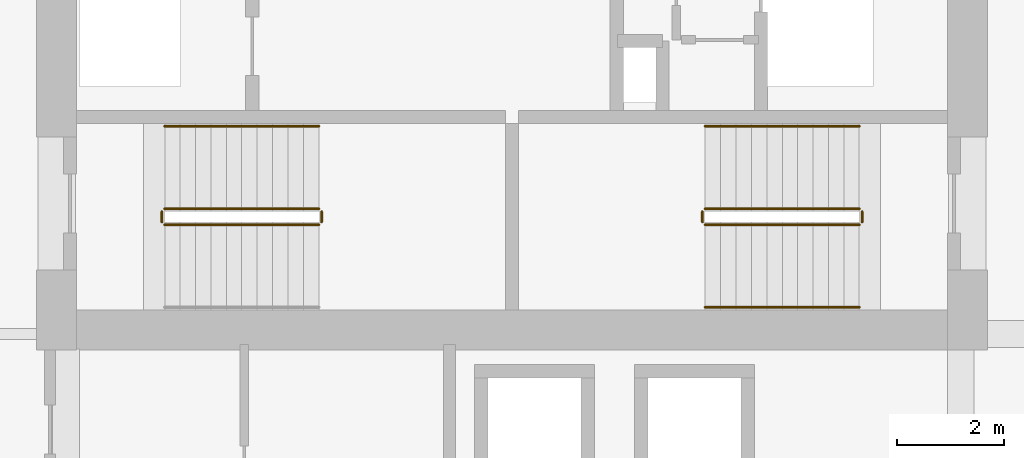
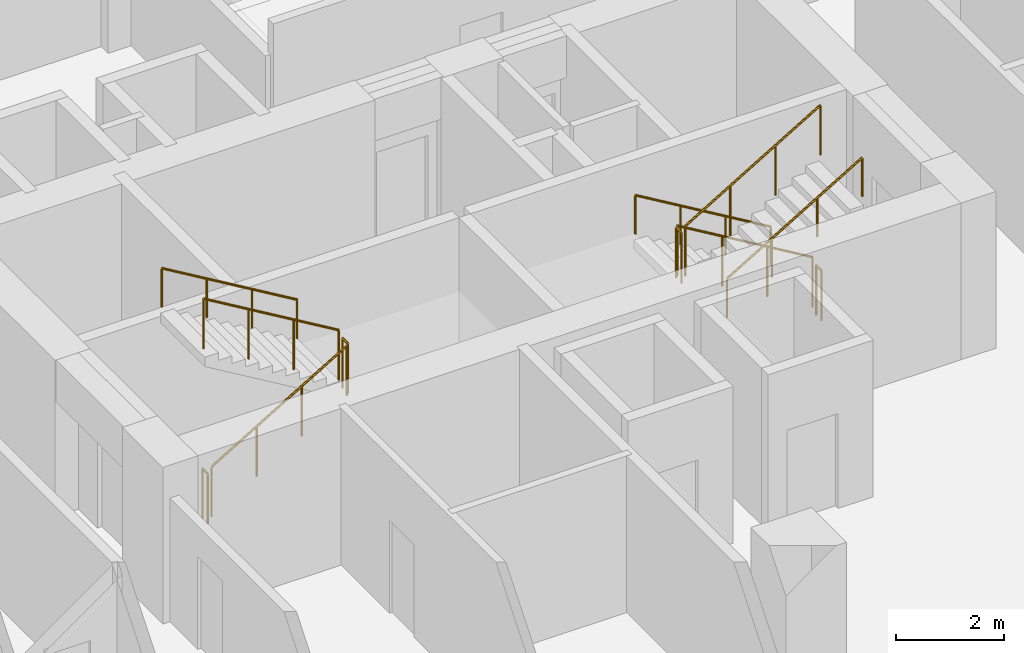
# One storey, part 21 of 23: 11 railings.
"""IFC4 building model written with IfcOpenShell, lengths in metres."""

from ifc_helpers import new_model, si_unit, direction, frame, origin, origin_2d, place, context, subcontext, project, spatial, circle, extrude, material, type_object, element, save


model = new_model("IFC4")

# Units and contexts
model_context = context("Model", 3, precision=1e-05, world=origin(), true_north=direction((0.0, 1.0)))
body_context = subcontext(model_context, "Body", "Model", "MODEL_VIEW")
ifc_project = project(units=[si_unit("LENGTHUNIT", "METRE"), si_unit("AREAUNIT", "SQUARE_METRE"), si_unit("VOLUMEUNIT", "CUBIC_METRE"), si_unit("PLANEANGLEUNIT", "RADIAN"), si_unit("MASSUNIT", "GRAM", prefix="KILO")], contexts=[model_context])

# Site, building, storey
site_placement = place(None, origin())
site = spatial("IfcSite", under=ifc_project, at=site_placement, CompositionType="ELEMENT")
building_placement = place(site_placement, origin())
building = spatial("IfcBuilding", under=site, at=building_placement, Name="Koriwani Terraces Tower", CompositionType="ELEMENT")
storey_placement = place(building_placement, frame((0.0, 0.0, 119.0)))
storey = spatial("IfcBuildingStorey", under=building, at=storey_placement, Name="L28", CompositionType="ELEMENT", Elevation=119.0)

# Railings
ifc_material = material(Name="Steel ASTM A572 Grade 50", Category="steel")
railing_type_1 = type_object("IfcRailingType", Name="GUARD_STAIR_WELL_1120", PredefinedType="GUARDRAIL", material=ifc_material)
railing_1_placement = place(storey_placement, frame((43.85009765625, 18.85009765625, 0.172607421875)))
element("IfcRailing", 1, at=railing_1_placement, inside=storey, type_object=railing_type_1, Name="L28 ST-E1 stair guard 1", PredefinedType="GUARDRAIL", context=body_context, shape_type="SweptSolid", body=[
    extrude(circle(Radius=0.02392578125, at=origin_2d()), frame((0.0, 0.0, 1.1259765625), z_axis=(0.859141464434, 0.0, 0.511738159696), x_axis=(0.0, 1.0, 0.0)), (0.0, 0.0, 1.0), 3.375244140625),
    extrude(circle(Radius=0.02099609375, at=origin_2d()), origin(), (0.0, 0.0, 1.0), 1.101806640625),
    extrude(circle(Radius=0.02099609375, at=origin_2d()), frame((0.966552734375, 0.0, 0.57568359375)), (0.0, 0.0, 1.0), 1.101806640625),
    extrude(circle(Radius=0.02099609375, at=origin_2d()), frame((1.933349609375, 0.0, 1.151611328125)), (0.0, 0.0, 1.0), 1.101806640625),
    extrude(circle(Radius=0.02099609375, at=origin_2d()), frame((2.89990234375, 0.0, 1.727294921875)), (0.0, 0.0, 1.0), 1.101806640625),
])
railing_2_placement = place(storey_placement, frame((46.800048828125, 18.89990234375, 1.89990234375)))
element("IfcRailing", 2, at=railing_2_placement, inside=storey, type_object=railing_type_1, Name="L28 ST-E1 stair guard 2", PredefinedType="GUARDRAIL", context=body_context, shape_type="SweptSolid", body=[
    extrude(circle(Radius=0.02392578125, at=origin_2d()), frame((0.0, 0.0, 1.1259765625), z_axis=(0.0, 1.0, 0.0), x_axis=(-1.0, 0.0, 0.0)), (0.0, 0.0, 1.0), 0.2001953125),
    extrude(circle(Radius=0.02099609375, at=origin_2d()), origin(), (0.0, 0.0, 1.0), 1.101806640625),
    extrude(circle(Radius=0.02099609375, at=origin_2d()), frame((0.0, 0.2001953125, 0.0)), (0.0, 0.0, 1.0), 1.101806640625),
])
railing_3_placement = place(storey_placement, frame((46.75, 19.14990234375, 2.07275390625)))
element("IfcRailing", 3, at=railing_3_placement, inside=storey, type_object=railing_type_1, Name="L28 ST-E1 stair guard 3", PredefinedType="GUARDRAIL", context=body_context, shape_type="SweptSolid", body=[
    extrude(circle(Radius=0.02392578125, at=origin_2d()), frame((0.0, 0.0, 1.1259765625), z_axis=(-0.859141464434, 0.0, 0.511738159696), x_axis=(0.0, -1.0, 0.0)), (0.0, 0.0, 1.0), 3.375244140625),
    extrude(circle(Radius=0.02099609375, at=origin_2d()), origin(), (0.0, 0.0, 1.0), 1.101806640625),
    extrude(circle(Radius=0.02099609375, at=origin_2d()), frame((-0.966552734375, 0.0, 0.57568359375)), (0.0, 0.0, 1.0), 1.101806640625),
    extrude(circle(Radius=0.02099609375, at=origin_2d()), frame((-1.933349609375, 0.0, 1.151611328125)), (0.0, 0.0, 1.0), 1.101806640625),
    extrude(circle(Radius=0.02099609375, at=origin_2d()), frame((-2.89990234375, 0.0, 1.727294921875)), (0.0, 0.0, 1.0), 1.101806640625),
])
railing_4_placement = place(storey_placement, frame((43.800048828125, 18.89990234375, 0.0)))
element("IfcRailing", 4, at=railing_4_placement, inside=storey, type_object=railing_type_1, Name="L28 ST-E1 stair guard 4", PredefinedType="GUARDRAIL", context=body_context, shape_type="SweptSolid", body=[
    extrude(circle(Radius=0.02392578125, at=origin_2d()), frame((0.0, 0.0, 1.1259765625), z_axis=(0.0, 1.0, 0.0), x_axis=(-1.0, 0.0, 0.0)), (0.0, 0.0, 1.0), 0.2001953125),
    extrude(circle(Radius=0.02099609375, at=origin_2d()), origin(), (0.0, 0.0, 1.0), 1.101806640625),
    extrude(circle(Radius=0.02099609375, at=origin_2d()), frame((0.0, 0.2001953125, 0.0)), (0.0, 0.0, 1.0), 1.101806640625),
])
railing_5_placement = place(storey_placement, frame((56.89990234375, 19.14990234375, 0.172607421875)))
element("IfcRailing", 5, at=railing_5_placement, inside=storey, type_object=railing_type_1, Name="L28 ST-E2 stair guard 1", PredefinedType="GUARDRAIL", context=body_context, shape_type="SweptSolid", body=[
    extrude(circle(Radius=0.02392578125, at=origin_2d()), frame((0.0, 0.0, 1.1259765625), z_axis=(-0.859141464434, 0.0, 0.511738159696), x_axis=(0.0, -1.0, 0.0)), (0.0, 0.0, 1.0), 3.375244140625),
    extrude(circle(Radius=0.02099609375, at=origin_2d()), origin(), (0.0, 0.0, 1.0), 1.101806640625),
    extrude(circle(Radius=0.02099609375, at=origin_2d()), frame((-0.966552734375, 0.0, 0.57568359375)), (0.0, 0.0, 1.0), 1.101806640625),
    extrude(circle(Radius=0.02099609375, at=origin_2d()), frame((-1.933349609375, 0.0, 1.151611328125)), (0.0, 0.0, 1.0), 1.101806640625),
    extrude(circle(Radius=0.02099609375, at=origin_2d()), frame((-2.89990234375, 0.0, 1.727294921875)), (0.0, 0.0, 1.0), 1.101806640625),
])
railing_6_placement = place(storey_placement, frame((53.949951171875, 19.10009765625, 1.89990234375)))
element("IfcRailing", 6, at=railing_6_placement, inside=storey, type_object=railing_type_1, Name="L28 ST-E2 stair guard 2", PredefinedType="GUARDRAIL", context=body_context, shape_type="SweptSolid", body=[
    extrude(circle(Radius=0.02392578125, at=origin_2d()), frame((0.0, 0.0, 1.1259765625), z_axis=(0.0, -1.0, 0.0), x_axis=(1.0, 0.0, 0.0)), (0.0, 0.0, 1.0), 0.2001953125),
    extrude(circle(Radius=0.02099609375, at=origin_2d()), origin(), (0.0, 0.0, 1.0), 1.101806640625),
    extrude(circle(Radius=0.02099609375, at=origin_2d()), frame((0.0, -0.2001953125, 0.0)), (0.0, 0.0, 1.0), 1.101806640625),
])
railing_7_placement = place(storey_placement, frame((54.0, 18.85009765625, 2.07275390625)))
element("IfcRailing", 7, at=railing_7_placement, inside=storey, type_object=railing_type_1, Name="L28 ST-E2 stair guard 3", PredefinedType="GUARDRAIL", context=body_context, shape_type="SweptSolid", body=[
    extrude(circle(Radius=0.02392578125, at=origin_2d()), frame((0.0, 0.0, 1.1259765625), z_axis=(0.859141464434, 0.0, 0.511738159696), x_axis=(0.0, 1.0, 0.0)), (0.0, 0.0, 1.0), 3.375244140625),
    extrude(circle(Radius=0.02099609375, at=origin_2d()), origin(), (0.0, 0.0, 1.0), 1.101806640625),
    extrude(circle(Radius=0.02099609375, at=origin_2d()), frame((0.966552734375, 0.0, 0.57568359375)), (0.0, 0.0, 1.0), 1.101806640625),
    extrude(circle(Radius=0.02099609375, at=origin_2d()), frame((1.933349609375, 0.0, 1.151611328125)), (0.0, 0.0, 1.0), 1.101806640625),
    extrude(circle(Radius=0.02099609375, at=origin_2d()), frame((2.89990234375, 0.0, 1.727294921875)), (0.0, 0.0, 1.0), 1.101806640625),
])
railing_8_placement = place(storey_placement, frame((56.949951171875, 19.10009765625, 0.0)))
element("IfcRailing", 8, at=railing_8_placement, inside=storey, type_object=railing_type_1, Name="L28 ST-E2 stair guard 4", PredefinedType="GUARDRAIL", context=body_context, shape_type="SweptSolid", body=[
    extrude(circle(Radius=0.02392578125, at=origin_2d()), frame((0.0, 0.0, 1.1259765625), z_axis=(0.0, -1.0, 0.0), x_axis=(1.0, 0.0, 0.0)), (0.0, 0.0, 1.0), 0.2001953125),
    extrude(circle(Radius=0.02099609375, at=origin_2d()), origin(), (0.0, 0.0, 1.0), 1.101806640625),
    extrude(circle(Radius=0.02099609375, at=origin_2d()), frame((0.0, -0.2001953125, 0.0)), (0.0, 0.0, 1.0), 1.101806640625),
])
railing_type_2 = type_object("IfcRailingType", Name="HANDRAIL_STAIR_920", PredefinedType="HANDRAIL", material=ifc_material)
for number, where, name in (
    (9, (46.75, 20.699951171875, 2.07275390625), "L28 ST-E1 stair handrail 2"),
    (10, (56.89990234375, 20.699951171875, 0.172607421875), "L28 ST-E2 stair handrail 1"),
):
    element("IfcRailing", number, at=place(storey_placement, frame(where)), inside=storey, type_object=railing_type_2, Name=name, PredefinedType="HANDRAIL", context=body_context, shape_type="SweptSolid", body=[
        extrude(circle(Radius=0.02392578125, at=origin_2d()), frame((0.0, 0.0, 0.8759765625), z_axis=(-0.859141464434, 0.0, 0.511738159696), x_axis=(0.0, -1.0, 0.0)), (0.0, 0.0, 1.0), 3.375244140625),
        extrude(circle(Radius=0.02099609375, at=origin_2d()), origin(), (0.0, 0.0, 1.0), 0.851806640625),
        extrude(circle(Radius=0.02099609375, at=origin_2d()), frame((-0.966552734375, 0.0, 0.57568359375)), (0.0, 0.0, 1.0), 0.851806640625),
        extrude(circle(Radius=0.02099609375, at=origin_2d()), frame((-1.933349609375, 0.0, 1.151611328125)), (0.0, 0.0, 1.0), 0.851806640625),
        extrude(circle(Radius=0.02099609375, at=origin_2d()), frame((-2.89990234375, 0.0, 1.727294921875)), (0.0, 0.0, 1.0), 0.851806640625),
    ])
railing_9_placement = place(storey_placement, frame((54.0, 17.300048828125, 2.07275390625)))
element("IfcRailing", 11, at=railing_9_placement, inside=storey, type_object=railing_type_2, Name="L28 ST-E2 stair handrail 2", PredefinedType="HANDRAIL", context=body_context, shape_type="SweptSolid", body=[
    extrude(circle(Radius=0.02392578125, at=origin_2d()), frame((0.0, 0.0, 0.8759765625), z_axis=(0.859141464434, 0.0, 0.511738159696), x_axis=(0.0, 1.0, 0.0)), (0.0, 0.0, 1.0), 3.375244140625),
    extrude(circle(Radius=0.02099609375, at=origin_2d()), origin(), (0.0, 0.0, 1.0), 0.851806640625),
    extrude(circle(Radius=0.02099609375, at=origin_2d()), frame((0.966552734375, 0.0, 0.57568359375)), (0.0, 0.0, 1.0), 0.851806640625),
    extrude(circle(Radius=0.02099609375, at=origin_2d()), frame((1.933349609375, 0.0, 1.151611328125)), (0.0, 0.0, 1.0), 0.851806640625),
    extrude(circle(Radius=0.02099609375, at=origin_2d()), frame((2.89990234375, 0.0, 1.727294921875)), (0.0, 0.0, 1.0), 0.851806640625),
])

save(model, "model.ifc")
